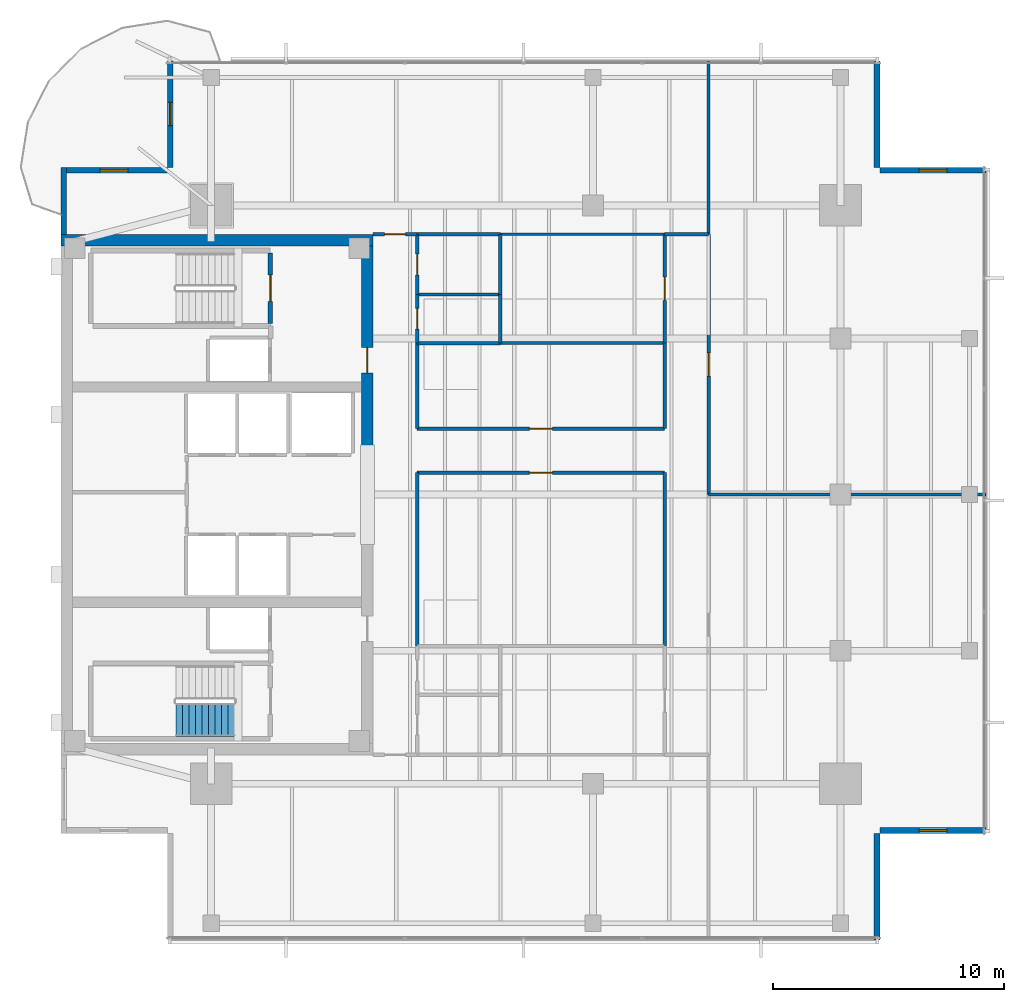
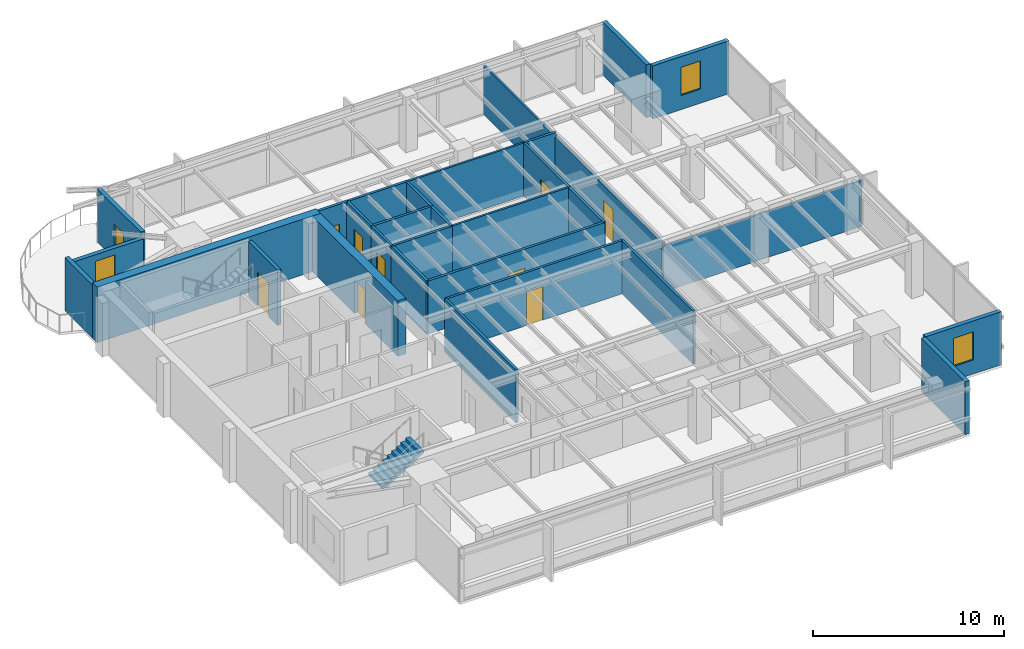
# One storey, part 9 of 14: 31 walls, 10 doors, 3 windows, 1 stair flight, 13 openings, 1 element without a shape of its own.
"""IFC4 building model written with IfcOpenShell, lengths in metres."""

from ifc_helpers import new_model, si_unit, direction, frame, frame_2d, origin, place, context, subcontext, project, spatial, polyline, rectangle, outline, extrude, material, layer, layer_set, type_object, element, fill, aggregate, save


model = new_model("IFC4")

# Units and contexts
model_context = context("Model", 3, precision=1e-05, world=origin(), true_north=direction((0.0, 1.0)))
body_context = subcontext(model_context, "Body", "Model", "MODEL_VIEW")
ifc_project = project(units=[si_unit("LENGTHUNIT", "METRE"), si_unit("AREAUNIT", "SQUARE_METRE"), si_unit("VOLUMEUNIT", "CUBIC_METRE"), si_unit("PLANEANGLEUNIT", "RADIAN"), si_unit("MASSUNIT", "GRAM", prefix="KILO")], contexts=[model_context])

# Site, building, storey
site_placement = place(None, origin())
site = spatial("IfcSite", under=ifc_project, at=site_placement, CompositionType="ELEMENT")
building_placement = place(site_placement, origin())
building = spatial("IfcBuilding", under=site, at=building_placement, Name="Kinhvarn Gate Tower", CompositionType="ELEMENT")
storey_placement = place(building_placement, frame((0.0, 0.0, 263.449951171875)))
storey = spatial("IfcBuildingStorey", under=building, at=storey_placement, Name="L70", CompositionType="ELEMENT", Elevation=263.449951171875)

# Wall
ifc_material_1 = material(Name="Concrete C50/60", Category="concrete")
ifc_layer_1 = layer(ifc_material_1, 0.5)
ifc_layer_set_1 = layer_set([ifc_layer_1], Name="Concrete C50/60")
wall_type_1 = type_object("IfcWallType", Name="WL-CORE-500", PredefinedType="SHEAR", material=ifc_layer_set_1)
wall_1_placement = place(storey_placement, frame((4.5, 36.25, 0.0), z_axis=(0.0, 0.0, 1.0), x_axis=(1.0, 0.0, 0.0)))
element("IfcWall", 1, at=wall_1_placement, inside=storey, type_object=wall_type_1, Name="Core North Shear Wall L70 500 mm", PredefinedType="SHEAR", context=body_context, shape_type="SweptSolid", body=[
    extrude(rectangle(XDim=13.5, YDim=0.5, at=frame_2d((6.75, 0.0))), origin(), (0.0, 0.0, 1.0), 3.550048828125),
])

# Wall, opening, door
wall_2_placement = place(storey_placement, frame((17.75, 27.050048828125, 0.0), z_axis=(0.0, 0.0, 1.0), x_axis=(0.0, 1.0, 0.0)))
wall_2 = element("IfcWall", 2, at=wall_2_placement, inside=storey, type_object=wall_type_1, Name="Core East-North Shear Pier L70 500 mm", PredefinedType="SHEAR", context=body_context, shape_type="SweptSolid", body=[
    extrude(rectangle(XDim=8.949951171875, YDim=0.5, at=frame_2d((4.47509765625, 0.0))), origin(), (0.0, 0.0, 1.0), 3.550048828125),
])
opening_1_placement = place(wall_2_placement, frame((3.449951171875, 0.0, 0.0)))
opening_1 = element("IfcOpeningElement", 3, at=opening_1_placement, cuts=wall_2, Name="Opening FD-02", PredefinedType="OPENING", context=body_context, shape_type="SweptSolid", body=[
    extrude(rectangle(XDim=1.10009765625, YDim=2.14990234375, at=frame_2d((0.550048828125, 1.074951171875))), frame((0.0, 0.260009765625, 0.0), z_axis=(0.0, -1.0, 0.0), x_axis=(1.0, 0.0, 0.0)), (0.0, 0.0, 1.0), 0.52001953125),
])
ifc_material_2 = material(Name="Anodised aluminium AW-6063", Category="aluminium")
door_type_1 = type_object("IfcDoorType", Name="DR-FD-1100", OperationType="NOTDEFINED", PredefinedType="DOOR", material=ifc_material_2)
door_1_placement = place(opening_1_placement, origin())
door_1 = element("IfcDoor", 4, at=door_1_placement, inside=storey, type_object=door_type_1, Name="Firefighting Lobby Core Door (L70)", OperationType="SINGLE_SWING_LEFT", OverallHeight=2.14990234375, OverallWidth=1.10009765625, PredefinedType="DOOR", context=body_context, shape_type="SweptSolid", body=[
    extrude(rectangle(XDim=1.10009765625, YDim=2.14990234375, at=frame_2d((0.550048828125, 1.074951171875))), frame((0.0, 0.02490234375, 0.0), z_axis=(0.0, -1.0, 0.0), x_axis=(1.0, 0.0, 0.0)), (0.0, 0.0, 1.0), 0.050048828125),
])
fill(opening_1, door_1)

# Walls
ifc_material_3 = material(Name="Fired architectural terracotta", Category="masonry")
ifc_layer_2 = layer(ifc_material_3, 0.25)
ifc_layer_set_2 = layer_set([ifc_layer_2], Name="Fired architectural terracotta")
wall_type_2 = type_object("IfcWallType", Name="WL-EXT-250", PredefinedType="SOLIDWALL", material=ifc_layer_set_2)
wall_3_placement = place(storey_placement, frame((4.625, 39.39990234375, 0.0), z_axis=(0.0, 0.0, 1.0), x_axis=(0.0, -1.0, 0.0)))
element("IfcWall", 5, at=wall_3_placement, inside=storey, type_object=wall_type_2, Name="Exterior Solidwall Wall EW-250 (L70 West-North)", PredefinedType="SOLIDWALL", context=body_context, shape_type="SweptSolid", body=[
    extrude(rectangle(XDim=2.89990234375, YDim=0.25, at=frame_2d((1.449951171875, 0.0))), origin(), (0.0, 0.0, 1.0), 3.39013671875),
])
wall_4_placement = place(storey_placement, frame((39.77490234375, 6.0, 0.0), z_axis=(0.0, 0.0, 1.0), x_axis=(0.0, 1.0, 0.0)))
element("IfcWall", 6, at=wall_4_placement, inside=storey, type_object=wall_type_2, Name="Exterior Solidwall Wall EW-250 (L70 SE-Notch-1)", PredefinedType="SOLIDWALL", context=body_context, shape_type="SweptSolid", body=[
    extrude(rectangle(XDim=4.60009765625, YDim=0.25, at=frame_2d((2.300048828125, 0.0))), origin(), (0.0, 0.0, 1.0), 3.39013671875),
])

# Wall, opening, window
wall_5_placement = place(storey_placement, frame((39.89990234375, 10.72509765625, 0.0), z_axis=(0.0, 0.0, 1.0), x_axis=(1.0, 0.0, 0.0)))
wall_5 = element("IfcWall", 7, at=wall_5_placement, inside=storey, type_object=wall_type_2, Name="Exterior Solidwall Wall EW-250 (L70 SE-Notch-2)", PredefinedType="SOLIDWALL", context=body_context, shape_type="SweptSolid", body=[
    extrude(rectangle(XDim=4.60009765625, YDim=0.25, at=frame_2d((2.300048828125, 0.0))), origin(), (0.0, 0.0, 1.0), 3.39013671875),
])
opening_2_placement = place(wall_5_placement, frame((1.699951171875, 0.0, 0.89990234375)))
opening_2 = element("IfcOpeningElement", 8, at=opening_2_placement, cuts=wall_5, Name="Opening WN-02", PredefinedType="OPENING", context=body_context, shape_type="SweptSolid", body=[
    extrude(rectangle(XDim=1.199951171875, YDim=1.800048828125, at=frame_2d((0.60009765625, 0.89990234375))), frame((0.0, 0.135009765625, 0.0), z_axis=(0.0, -1.0, 0.0), x_axis=(1.0, 0.0, 0.0)), (0.0, 0.0, 1.0), 0.27001953125),
])
ifc_material_4 = material(Name="Clear low-e double glazing", Category="glass")
window_type = type_object("IfcWindowType", Name="WIN-NTC-1200", PartitioningType="SINGLE_PANEL", PredefinedType="WINDOW", material=ifc_material_4)
window_1_placement = place(opening_2_placement, origin())
window_1 = element("IfcWindow", 9, at=window_1_placement, inside=storey, type_object=window_type, Name="Recessed Corner Notch Punched Window 1200x1800 mm (L70)", OverallHeight=1.800048828125, OverallWidth=1.199951171875, PartitioningType="SINGLE_PANEL", PredefinedType="WINDOW", context=body_context, shape_type="SweptSolid", body=[
    extrude(rectangle(XDim=1.199951171875, YDim=1.800048828125, at=frame_2d((0.60009765625, 0.89990234375))), frame((0.0, 0.030029296875, 0.0), z_axis=(0.0, -1.0, 0.0), x_axis=(1.0, 0.0, 0.0)), (0.0, 0.0, 1.0), 0.06005859375),
])
fill(opening_2, window_1)

wall_6_placement = place(storey_placement, frame((44.5, 39.27490234375, 0.0), z_axis=(0.0, 0.0, 1.0), x_axis=(-1.0, 0.0, 0.0)))
wall_6 = element("IfcWall", 10, at=wall_6_placement, inside=storey, type_object=wall_type_2, Name="Exterior Solidwall Wall EW-250 (L70 NE-Notch-1)", PredefinedType="SOLIDWALL", context=body_context, shape_type="SweptSolid", body=[
    extrude(rectangle(XDim=4.60009765625, YDim=0.25, at=frame_2d((2.300048828125, 0.0))), origin(), (0.0, 0.0, 1.0), 3.39013671875),
])
opening_3_placement = place(wall_6_placement, frame((1.699951171875, 0.0, 0.89990234375)))
opening_3 = element("IfcOpeningElement", 11, at=opening_3_placement, cuts=wall_6, Name="Opening WN-02", PredefinedType="OPENING", context=body_context, shape_type="SweptSolid", body=[
    extrude(rectangle(XDim=1.199951171875, YDim=1.800048828125, at=frame_2d((0.60009765625, 0.89990234375))), frame((0.0, 0.135009765625, 0.0), z_axis=(0.0, -1.0, 0.0), x_axis=(1.0, 0.0, 0.0)), (0.0, 0.0, 1.0), 0.27001953125),
])
window_2_placement = place(opening_3_placement, origin())
window_2 = element("IfcWindow", 12, at=window_2_placement, inside=storey, type_object=window_type, Name="Recessed Corner Notch Punched Window 1200x1800 mm (L70)", OverallHeight=1.800048828125, OverallWidth=1.199951171875, PartitioningType="SINGLE_PANEL", PredefinedType="WINDOW", context=body_context, shape_type="SweptSolid", body=[
    extrude(rectangle(XDim=1.199951171875, YDim=1.800048828125, at=frame_2d((0.60009765625, 0.89990234375))), frame((0.0, 0.030029296875, 0.0), z_axis=(0.0, -1.0, 0.0), x_axis=(1.0, 0.0, 0.0)), (0.0, 0.0, 1.0), 0.06005859375),
])
fill(opening_3, window_2)

# Wall
wall_7_placement = place(storey_placement, frame((39.77490234375, 39.39990234375, 0.0), z_axis=(0.0, 0.0, 1.0), x_axis=(0.0, 1.0, 0.0)))
element("IfcWall", 13, at=wall_7_placement, inside=storey, type_object=wall_type_2, Name="Exterior Solidwall Wall EW-250 (L70 NE-Notch-2)", PredefinedType="SOLIDWALL", context=body_context, shape_type="SweptSolid", body=[
    extrude(rectangle(XDim=4.60009765625, YDim=0.25, at=frame_2d((2.300048828125, 0.0))), origin(), (0.0, 0.0, 1.0), 3.39013671875),
])

# Wall, opening, door
wall_8_placement = place(storey_placement, frame((9.22509765625, 44.0, 0.0), z_axis=(0.0, 0.0, 1.0), x_axis=(0.0, -1.0, 0.0)))
wall_8 = element("IfcWall", 14, at=wall_8_placement, inside=storey, type_object=wall_type_2, Name="Exterior Solidwall Wall EW-250 (L70 NW-Notch-Door)", PredefinedType="SOLIDWALL", context=body_context, shape_type="SweptSolid", body=[
    extrude(rectangle(XDim=4.60009765625, YDim=0.25, at=frame_2d((2.300048828125, 0.0))), origin(), (0.0, 0.0, 1.0), 3.39013671875),
])
opening_4_placement = place(wall_8_placement, frame((1.800048828125, 0.0, 0.0)))
opening_4 = element("IfcOpeningElement", 15, at=opening_4_placement, cuts=wall_8, Name="Opening BD-01", PredefinedType="OPENING", context=body_context, shape_type="SweptSolid", body=[
    extrude(rectangle(XDim=1.0, YDim=2.199951171875, at=frame_2d((0.5, 1.10009765625))), frame((0.0, 0.135009765625, 0.0), z_axis=(0.0, -1.0, 0.0), x_axis=(1.0, 0.0, 0.0)), (0.0, 0.0, 1.0), 0.27001953125),
])
door_type_2 = type_object("IfcDoorType", Name="DR-BAL-1000", OperationType="NOTDEFINED", PredefinedType="DOOR", material=ifc_material_4)
door_2_placement = place(opening_4_placement, frame((1.0, 0.0, 0.0), z_axis=(0.0, 0.0, 1.0), x_axis=(-1.0, 0.0, 0.0)))
door_2 = element("IfcDoor", 16, at=door_2_placement, inside=storey, type_object=door_type_2, Name="S-Carve Balcony Door BD-01 (L70)", OperationType="SINGLE_SWING_RIGHT", OverallHeight=2.199951171875, OverallWidth=1.0, PredefinedType="DOOR", context=body_context, shape_type="SweptSolid", body=[
    extrude(rectangle(XDim=1.0, YDim=2.199951171875, at=frame_2d((0.5, 1.10009765625))), frame((0.0, 0.02490234375, 0.0), z_axis=(0.0, -1.0, 0.0), x_axis=(1.0, 0.0, 0.0)), (0.0, 0.0, 1.0), 0.050048828125),
])
fill(opening_4, door_2)

# Wall, opening, window
wall_9_placement = place(storey_placement, frame((9.10009765625, 39.27490234375, 0.0), z_axis=(0.0, 0.0, 1.0), x_axis=(-1.0, 0.0, 0.0)))
wall_9 = element("IfcWall", 17, at=wall_9_placement, inside=storey, type_object=wall_type_2, Name="Exterior Solidwall Wall EW-250 (L70 NW-Notch-Win)", PredefinedType="SOLIDWALL", context=body_context, shape_type="SweptSolid", body=[
    extrude(rectangle(XDim=4.60009765625, YDim=0.25, at=frame_2d((2.300048828125, 0.0))), origin(), (0.0, 0.0, 1.0), 3.1201171875),
])
opening_5_placement = place(wall_9_placement, frame((1.699951171875, 0.0, 0.89990234375)))
opening_5 = element("IfcOpeningElement", 18, at=opening_5_placement, cuts=wall_9, Name="Opening WN-02", PredefinedType="OPENING", context=body_context, shape_type="SweptSolid", body=[
    extrude(rectangle(XDim=1.199951171875, YDim=1.800048828125, at=frame_2d((0.60009765625, 0.89990234375))), frame((0.0, 0.135009765625, 0.0), z_axis=(0.0, -1.0, 0.0), x_axis=(1.0, 0.0, 0.0)), (0.0, 0.0, 1.0), 0.27001953125),
])
window_3_placement = place(opening_5_placement, origin())
window_3 = element("IfcWindow", 19, at=window_3_placement, inside=storey, type_object=window_type, Name="Recessed Corner Notch Punched Window 1200x1800 mm (L70)", OverallHeight=1.800048828125, OverallWidth=1.199951171875, PartitioningType="SINGLE_PANEL", PredefinedType="WINDOW", context=body_context, shape_type="SweptSolid", body=[
    extrude(rectangle(XDim=1.199951171875, YDim=1.800048828125, at=frame_2d((0.60009765625, 0.89990234375))), frame((0.0, 0.030029296875, 0.0), z_axis=(0.0, -1.0, 0.0), x_axis=(1.0, 0.0, 0.0)), (0.0, 0.0, 1.0), 0.06005859375),
])
fill(opening_5, window_3)

# Walls
ifc_material_5 = material(Name="Gypsum acoustic partition board")
ifc_layer_3 = layer(ifc_material_5, 0.14990234375)
ifc_layer_set_3 = layer_set([ifc_layer_3], Name="Gypsum acoustic partition board")
wall_type_3 = type_object("IfcWallType", Name="WL-PLM-150", PredefinedType="PLUMBINGWALL", material=ifc_layer_set_3)
wall_10_placement = place(storey_placement, frame((19.89990234375, 33.89990234375, 0.0), z_axis=(0.0, 0.0, 1.0), x_axis=(1.0, 0.0, 0.0)))
element("IfcWall", 20, at=wall_10_placement, inside=storey, type_object=wall_type_3, Name="Interior Partition PLW-150 (L70)", PredefinedType="PLUMBINGWALL", context=body_context, shape_type="SweptSolid", body=[
    extrude(rectangle(XDim=3.60009765625, YDim=0.14990234375, at=frame_2d((1.800048828125, 0.0))), origin(), (0.0, 0.0, 1.0), 3.39013671875),
])
wall_11_placement = place(storey_placement, frame((23.5, 33.89990234375, 0.0), z_axis=(0.0, 0.0, 1.0), x_axis=(0.0, 1.0, 0.0)))
element("IfcWall", 21, at=wall_11_placement, inside=storey, type_object=wall_type_3, Name="Interior Partition PLW-150 (L70)", PredefinedType="PLUMBINGWALL", context=body_context, shape_type="SweptSolid", body=[
    extrude(rectangle(XDim=2.60009765625, YDim=0.14990234375, at=frame_2d((1.300048828125, 0.0))), origin(), (0.0, 0.0, 1.0), 3.39013671875),
])
wall_12_placement = place(storey_placement, frame((19.89990234375, 36.5, 0.0), z_axis=(0.0, 0.0, 1.0), x_axis=(1.0, 0.0, 0.0)))
element("IfcWall", 22, at=wall_12_placement, inside=storey, type_object=wall_type_3, Name="Interior Partition PLW-150 (L70)", PredefinedType="PLUMBINGWALL", context=body_context, shape_type="SweptSolid", body=[
    extrude(rectangle(XDim=3.60009765625, YDim=0.14990234375, at=frame_2d((1.800048828125, 0.0))), origin(), (0.0, 0.0, 1.0), 3.39013671875),
])
wall_13_placement = place(storey_placement, frame((23.5, 31.800048828125, 0.0), z_axis=(0.0, 0.0, 1.0), x_axis=(0.0, 1.0, 0.0)))
element("IfcWall", 23, at=wall_13_placement, inside=storey, type_object=wall_type_3, Name="Interior Partition PLW-150 (L70)", PredefinedType="PLUMBINGWALL", context=body_context, shape_type="SweptSolid", body=[
    extrude(rectangle(XDim=2.099853515625, YDim=0.14990234375, at=frame_2d((1.0498046875, 0.0))), origin(), (0.0, 0.0, 1.0), 3.39013671875),
])
wall_14_placement = place(storey_placement, frame((19.89990234375, 31.800048828125, 0.0), z_axis=(0.0, 0.0, 1.0), x_axis=(1.0, 0.0, 0.0)))
element("IfcWall", 24, at=wall_14_placement, inside=storey, type_object=wall_type_3, Name="Interior Partition PLW-150 (L70)", PredefinedType="PLUMBINGWALL", context=body_context, shape_type="SweptSolid", body=[
    extrude(rectangle(XDim=3.60009765625, YDim=0.14990234375, at=frame_2d((1.800048828125, 0.0))), origin(), (0.0, 0.0, 1.0), 3.39013671875),
])

# Wall, opening, door
ifc_layer_4 = layer(ifc_material_5, 0.14990234375)
ifc_layer_set_4 = layer_set([ifc_layer_4], Name="Gypsum acoustic partition board")
wall_type_4 = type_object("IfcWallType", Name="WL-PLM-150F", PredefinedType="PLUMBINGWALL", material=ifc_layer_set_4)
wall_15_placement = place(storey_placement, frame((19.89990234375, 33.89990234375, 0.0), z_axis=(0.0, 0.0, 1.0), x_axis=(0.0, 1.0, 0.0)))
wall_15 = element("IfcWall", 25, at=wall_15_placement, inside=storey, type_object=wall_type_4, Name="Interior Partition PLW-150F (L70)", PredefinedType="PLUMBINGWALL", context=body_context, shape_type="SweptSolid", body=[
    extrude(rectangle(XDim=2.60009765625, YDim=0.14990234375, at=frame_2d((1.300048828125, 0.0))), origin(), (0.0, 0.0, 1.0), 3.39013671875),
])
opening_6_placement = place(wall_15_placement, frame((0.85009765625, 0.0, 0.0)))
opening_6 = element("IfcOpeningElement", 26, at=opening_6_placement, cuts=wall_15, Name="Opening FD-04", PredefinedType="OPENING", context=body_context, shape_type="SweptSolid", body=[
    extrude(rectangle(XDim=0.89990234375, YDim=2.10009765625, at=frame_2d((0.449951171875, 1.050048828125))), frame((0.0, 0.0849609375, 0.0), z_axis=(0.0, -1.0, 0.0), x_axis=(1.0, 0.0, 0.0)), (0.0, 0.0, 1.0), 0.169921875),
])
door_type_3 = type_object("IfcDoorType", Name="DR-FD-900", OperationType="NOTDEFINED", PredefinedType="DOOR", material=ifc_material_2)
door_3_placement = place(opening_6_placement, origin())
door_3 = element("IfcDoor", 27, at=door_3_placement, inside=storey, type_object=door_type_3, Name="Rated Riser & Service Closet Fire Door 900x2100 mm (L70)", OperationType="SINGLE_SWING_LEFT", OverallHeight=2.10009765625, OverallWidth=0.89990234375, PredefinedType="DOOR", context=body_context, shape_type="SweptSolid", body=[
    extrude(rectangle(XDim=0.89990234375, YDim=2.10009765625, at=frame_2d((0.449951171875, 1.050048828125))), frame((0.0, 0.02490234375, 0.0), z_axis=(0.0, -1.0, 0.0), x_axis=(1.0, 0.0, 0.0)), (0.0, 0.0, 1.0), 0.050048828125),
])
fill(opening_6, door_3)

wall_16_placement = place(storey_placement, frame((19.89990234375, 31.800048828125, 0.0), z_axis=(0.0, 0.0, 1.0), x_axis=(0.0, 1.0, 0.0)))
wall_16 = element("IfcWall", 28, at=wall_16_placement, inside=storey, type_object=wall_type_4, Name="Interior Partition PLW-150F (L70)", PredefinedType="PLUMBINGWALL", context=body_context, shape_type="SweptSolid", body=[
    extrude(rectangle(XDim=2.099853515625, YDim=0.14990234375, at=frame_2d((1.0498046875, 0.0))), origin(), (0.0, 0.0, 1.0), 3.39013671875),
])
opening_7_placement = place(wall_16_placement, frame((0.60009765625, 0.0, 0.0)))
opening_7 = element("IfcOpeningElement", 29, at=opening_7_placement, cuts=wall_16, Name="Opening FD-04", PredefinedType="OPENING", context=body_context, shape_type="SweptSolid", body=[
    extrude(rectangle(XDim=0.89990234375, YDim=2.10009765625, at=frame_2d((0.449951171875, 1.050048828125))), frame((0.0, 0.0849609375, 0.0), z_axis=(0.0, -1.0, 0.0), x_axis=(1.0, 0.0, 0.0)), (0.0, 0.0, 1.0), 0.169921875),
])
door_4_placement = place(opening_7_placement, origin())
door_4 = element("IfcDoor", 30, at=door_4_placement, inside=storey, type_object=door_type_3, Name="Rated Riser & Service Closet Fire Door 900x2100 mm (L70)", OperationType="SINGLE_SWING_LEFT", OverallHeight=2.10009765625, OverallWidth=0.89990234375, PredefinedType="DOOR", context=body_context, shape_type="SweptSolid", body=[
    extrude(rectangle(XDim=0.89990234375, YDim=2.10009765625, at=frame_2d((0.449951171875, 1.050048828125))), frame((0.0, 0.02490234375, 0.0), z_axis=(0.0, -1.0, 0.0), x_axis=(1.0, 0.0, 0.0)), (0.0, 0.0, 1.0), 0.050048828125),
])
fill(opening_7, door_4)

# Walls
ifc_layer_5 = layer(ifc_material_5, 0.1201171875)
ifc_layer_set_5 = layer_set([ifc_layer_5], Name="Gypsum acoustic partition board")
wall_type_5 = type_object("IfcWallType", Name="WL-PRT-120", PredefinedType="PARTITIONING", material=ifc_layer_set_5)
for number, where, z_axis, x_axis, name in (
    (31, (23.5, 31.800048828125, 0.0), (0.0, 0.0, 1.0), (1.0, 0.0, 0.0), "Interior Partition PW-120 (L70)"),
    (32, (23.5, 36.5, 0.0), (0.0, 0.0, 1.0), (1.0, 0.0, 0.0), "Interior Partition PW-120 (L70)"),
):
    element("IfcWall", number, at=place(storey_placement, frame(where, z_axis=z_axis, x_axis=x_axis)), inside=storey, type_object=wall_type_5, Name=name, PredefinedType="PARTITIONING", context=body_context, shape_type="SweptSolid", body=[
        extrude(rectangle(XDim=7.10009765625, YDim=0.1201171875, at=frame_2d((3.550048828125, 0.0))), origin(), (0.0, 0.0, 1.0), 3.39013671875),
    ])
wall_17_placement = place(storey_placement, frame((32.5, 36.5, 0.0), z_axis=(0.0, 0.0, 1.0), x_axis=(0.0, 1.0, 0.0)))
element("IfcWall", 33, at=wall_17_placement, inside=storey, type_object=wall_type_5, Name="Interior Partition PW-120 (L70)", PredefinedType="PARTITIONING", context=body_context, shape_type="SweptSolid", body=[
    extrude(rectangle(XDim=7.489990234375, YDim=0.1201171875, at=frame_2d((3.7451171875, 0.0))), origin(), (0.0, 0.0, 1.0), 3.1201171875),
])
wall_18_placement = place(storey_placement, frame((32.5, 25.25, 0.0), z_axis=(0.0, 0.0, 1.0), x_axis=(1.0, 0.0, 0.0)))
element("IfcWall", 34, at=wall_18_placement, inside=storey, type_object=wall_type_5, Name="Interior Partition PW-120 (L70)", PredefinedType="PARTITIONING", context=body_context, shape_type="SweptSolid", body=[
    extrude(rectangle(XDim=11.989990234375, YDim=0.1201171875, at=frame_2d((5.9951171875, 0.0))), origin(), (0.0, 0.0, 1.0), 2.93994140625),
])
ifc_layer_6 = layer(ifc_material_5, 0.14990234375)
ifc_layer_set_6 = layer_set([ifc_layer_6], Name="Gypsum acoustic partition board")
wall_type_6 = type_object("IfcWallType", Name="WL-PRT-150F", PredefinedType="PARTITIONING", material=ifc_layer_set_6)
wall_19_placement = place(storey_placement, frame((19.89990234375, 18.699951171875, 0.0), z_axis=(0.0, 0.0, 1.0), x_axis=(0.0, 1.0, 0.0)))
element("IfcWall", 35, at=wall_19_placement, inside=storey, type_object=wall_type_6, Name="Interior Partition PW-150F (L70)", PredefinedType="PARTITIONING", context=body_context, shape_type="SweptSolid", body=[
    extrude(rectangle(XDim=7.5, YDim=0.14990234375, at=frame_2d((3.75, 0.0))), origin(), (0.0, 0.0, 1.0), 3.39013671875),
])
wall_20_placement = place(storey_placement, frame((19.89990234375, 28.10009765625, 0.0), z_axis=(0.0, 0.0, 1.0), x_axis=(0.0, 1.0, 0.0)))
element("IfcWall", 36, at=wall_20_placement, inside=storey, type_object=wall_type_6, Name="Interior Partition PW-150F (L70)", PredefinedType="PARTITIONING", context=body_context, shape_type="SweptSolid", body=[
    extrude(rectangle(XDim=3.699951171875, YDim=0.14990234375, at=frame_2d((1.85009765625, 0.0))), origin(), (0.0, 0.0, 1.0), 3.39013671875),
])

# Wall, opening, door
wall_21_placement = place(storey_placement, frame((18.0, 36.5, 0.0), z_axis=(0.0, 0.0, 1.0), x_axis=(1.0, 0.0, 0.0)))
wall_21 = element("IfcWall", 37, at=wall_21_placement, inside=storey, type_object=wall_type_6, Name="Interior Partition PW-150F (L70)", PredefinedType="PARTITIONING", context=body_context, shape_type="SweptSolid", body=[
    extrude(rectangle(XDim=1.89990234375, YDim=0.14990234375, at=frame_2d((0.949951171875, 0.0))), origin(), (0.0, 0.0, 1.0), 3.39013671875),
])
opening_8_placement = place(wall_21_placement, frame((0.5, 0.0, 0.0)))
opening_8 = element("IfcOpeningElement", 38, at=opening_8_placement, cuts=wall_21, Name="Opening ID-03", PredefinedType="OPENING", context=body_context, shape_type="SweptSolid", body=[
    extrude(rectangle(XDim=0.89990234375, YDim=2.10009765625, at=frame_2d((0.449951171875, 1.050048828125))), frame((0.0, 0.0849609375, 0.0), z_axis=(0.0, -1.0, 0.0), x_axis=(1.0, 0.0, 0.0)), (0.0, 0.0, 1.0), 0.169921875),
])
door_type_4 = type_object("IfcDoorType", Name="DR-INT-900", OperationType="NOTDEFINED", PredefinedType="DOOR", material=ifc_material_2)
door_5_placement = place(opening_8_placement, origin())
door_5 = element("IfcDoor", 39, at=door_5_placement, inside=storey, type_object=door_type_4, Name="Cellular Office & Restroom Door 900x2100 mm (L70)", OperationType="SINGLE_SWING_LEFT", OverallHeight=2.10009765625, OverallWidth=0.89990234375, PredefinedType="DOOR", context=body_context, shape_type="SweptSolid", body=[
    extrude(rectangle(XDim=0.89990234375, YDim=2.10009765625, at=frame_2d((0.449951171875, 1.050048828125))), frame((0.0, 0.02490234375, 0.0), z_axis=(0.0, -1.0, 0.0), x_axis=(1.0, 0.0, 0.0)), (0.0, 0.0, 1.0), 0.050048828125),
])
fill(opening_8, door_5)

wall_22_placement = place(storey_placement, frame((19.89990234375, 26.199951171875, 0.0), z_axis=(0.0, 0.0, 1.0), x_axis=(1.0, 0.0, 0.0)))
wall_22 = element("IfcWall", 40, at=wall_22_placement, inside=storey, type_object=wall_type_6, Name="Interior Partition PW-150F (L70)", PredefinedType="PARTITIONING", context=body_context, shape_type="SweptSolid", body=[
    extrude(rectangle(XDim=10.7001953125, YDim=0.14990234375, at=frame_2d((5.35009765625, 0.0))), origin(), (0.0, 0.0, 1.0), 3.39013671875),
])
opening_9_placement = place(wall_22_placement, frame((4.85009765625, 0.0, 0.0)))
opening_9 = element("IfcOpeningElement", 41, at=opening_9_placement, cuts=wall_22, Name="Opening ID-02", PredefinedType="OPENING", context=body_context, shape_type="SweptSolid", body=[
    extrude(rectangle(XDim=1.0, YDim=2.14990234375, at=frame_2d((0.5, 1.074951171875))), frame((0.0, 0.0849609375, 0.0), z_axis=(0.0, -1.0, 0.0), x_axis=(1.0, 0.0, 0.0)), (0.0, 0.0, 1.0), 0.169921875),
])
door_type_5 = type_object("IfcDoorType", Name="DR-INT-1000", OperationType="NOTDEFINED", PredefinedType="DOOR", material=ifc_material_2)
door_6_placement = place(opening_9_placement, origin())
door_6 = element("IfcDoor", 42, at=door_6_placement, inside=storey, type_object=door_type_5, Name="Standard Office & Meeting Room Door 1000x2150 mm (L70)", OperationType="SINGLE_SWING_RIGHT", OverallHeight=2.14990234375, OverallWidth=1.0, PredefinedType="DOOR", context=body_context, shape_type="SweptSolid", body=[
    extrude(rectangle(XDim=1.0, YDim=2.14990234375, at=frame_2d((0.5, 1.074951171875))), frame((0.0, 0.02490234375, 0.0), z_axis=(0.0, -1.0, 0.0), x_axis=(1.0, 0.0, 0.0)), (0.0, 0.0, 1.0), 0.050048828125),
])
fill(opening_9, door_6)

wall_23_placement = place(storey_placement, frame((19.89990234375, 28.10009765625, 0.0), z_axis=(0.0, 0.0, 1.0), x_axis=(1.0, 0.0, 0.0)))
wall_23 = element("IfcWall", 43, at=wall_23_placement, inside=storey, type_object=wall_type_6, Name="Interior Partition PW-150F (L70)", PredefinedType="PARTITIONING", context=body_context, shape_type="SweptSolid", body=[
    extrude(rectangle(XDim=10.7001953125, YDim=0.14990234375, at=frame_2d((5.35009765625, 0.0))), origin(), (0.0, 0.0, 1.0), 3.39013671875),
])
opening_10_placement = place(wall_23_placement, frame((4.85009765625, 0.0, 0.0)))
opening_10 = element("IfcOpeningElement", 44, at=opening_10_placement, cuts=wall_23, Name="Opening ID-02", PredefinedType="OPENING", context=body_context, shape_type="SweptSolid", body=[
    extrude(rectangle(XDim=1.0, YDim=2.14990234375, at=frame_2d((0.5, 1.074951171875))), frame((0.0, 0.0849609375, 0.0), z_axis=(0.0, -1.0, 0.0), x_axis=(1.0, 0.0, 0.0)), (0.0, 0.0, 1.0), 0.169921875),
])
door_7_placement = place(opening_10_placement, origin())
door_7 = element("IfcDoor", 45, at=door_7_placement, inside=storey, type_object=door_type_5, Name="Standard Office & Meeting Room Door 1000x2150 mm (L70)", OperationType="SINGLE_SWING_LEFT", OverallHeight=2.14990234375, OverallWidth=1.0, PredefinedType="DOOR", context=body_context, shape_type="SweptSolid", body=[
    extrude(rectangle(XDim=1.0, YDim=2.14990234375, at=frame_2d((0.5, 1.074951171875))), frame((0.0, 0.02490234375, 0.0), z_axis=(0.0, -1.0, 0.0), x_axis=(1.0, 0.0, 0.0)), (0.0, 0.0, 1.0), 0.050048828125),
])
fill(opening_10, door_7)

wall_24_placement = place(storey_placement, frame((30.60009765625, 31.800048828125, 0.0), z_axis=(0.0, 0.0, 1.0), x_axis=(0.0, 1.0, 0.0)))
wall_24 = element("IfcWall", 46, at=wall_24_placement, inside=storey, type_object=wall_type_6, Name="Interior Partition PW-150F (L70)", PredefinedType="PARTITIONING", context=body_context, shape_type="SweptSolid", body=[
    extrude(rectangle(XDim=4.699951171875, YDim=0.14990234375, at=frame_2d((2.35009765625, 0.0))), origin(), (0.0, 0.0, 1.0), 3.39013671875),
])
opening_11_placement = place(wall_24_placement, frame((1.85009765625, 0.0, 0.0)))
opening_11 = element("IfcOpeningElement", 47, at=opening_11_placement, cuts=wall_24, Name="Opening ID-02", PredefinedType="OPENING", context=body_context, shape_type="SweptSolid", body=[
    extrude(rectangle(XDim=1.0, YDim=2.14990234375, at=frame_2d((0.5, 1.074951171875))), frame((0.0, 0.0849609375, 0.0), z_axis=(0.0, -1.0, 0.0), x_axis=(1.0, 0.0, 0.0)), (0.0, 0.0, 1.0), 0.169921875),
])
door_8_placement = place(opening_11_placement, origin())
door_8 = element("IfcDoor", 48, at=door_8_placement, inside=storey, type_object=door_type_5, Name="Standard Office & Meeting Room Door 1000x2150 mm (L70)", OperationType="SINGLE_SWING_LEFT", OverallHeight=2.14990234375, OverallWidth=1.0, PredefinedType="DOOR", context=body_context, shape_type="SweptSolid", body=[
    extrude(rectangle(XDim=1.0, YDim=2.14990234375, at=frame_2d((0.5, 1.074951171875))), frame((0.0, 0.02490234375, 0.0), z_axis=(0.0, -1.0, 0.0), x_axis=(1.0, 0.0, 0.0)), (0.0, 0.0, 1.0), 0.050048828125),
])
fill(opening_11, door_8)

# Walls
wall_25_placement = place(storey_placement, frame((30.60009765625, 18.699951171875, 0.0), z_axis=(0.0, 0.0, 1.0), x_axis=(0.0, 1.0, 0.0)))
element("IfcWall", 49, at=wall_25_placement, inside=storey, type_object=wall_type_6, Name="Interior Partition PW-150F (L70)", PredefinedType="PARTITIONING", context=body_context, shape_type="SweptSolid", body=[
    extrude(rectangle(XDim=7.5, YDim=0.14990234375, at=frame_2d((3.75, 0.0))), origin(), (0.0, 0.0, 1.0), 3.39013671875),
])
wall_26_placement = place(storey_placement, frame((30.60009765625, 28.10009765625, 0.0), z_axis=(0.0, 0.0, 1.0), x_axis=(0.0, 1.0, 0.0)))
element("IfcWall", 50, at=wall_26_placement, inside=storey, type_object=wall_type_6, Name="Interior Partition PW-150F (L70)", PredefinedType="PARTITIONING", context=body_context, shape_type="SweptSolid", body=[
    extrude(rectangle(XDim=3.699951171875, YDim=0.14990234375, at=frame_2d((1.85009765625, 0.0))), origin(), (0.0, 0.0, 1.0), 3.39013671875),
])
wall_27_placement = place(storey_placement, frame((30.60009765625, 36.5, 0.0), z_axis=(0.0, 0.0, 1.0), x_axis=(1.0, 0.0, 0.0)))
element("IfcWall", 51, at=wall_27_placement, inside=storey, type_object=wall_type_6, Name="Interior Partition PW-150F (L70)", PredefinedType="PARTITIONING", context=body_context, shape_type="SweptSolid", body=[
    extrude(rectangle(XDim=1.89990234375, YDim=0.14990234375, at=frame_2d((0.949951171875, 0.0))), origin(), (0.0, 0.0, 1.0), 3.39013671875),
])

# Wall, opening, door
wall_28_placement = place(storey_placement, frame((32.5, 25.25, 0.0), z_axis=(0.0, 0.0, 1.0), x_axis=(0.0, 1.0, 0.0)))
wall_28 = element("IfcWall", 52, at=wall_28_placement, inside=storey, type_object=wall_type_6, Name="Interior Partition PW-150F (L70)", PredefinedType="PARTITIONING", context=body_context, shape_type="SweptSolid", body=[
    extrude(rectangle(XDim=11.25, YDim=0.14990234375, at=frame_2d((5.625, 0.0))), origin(), (0.0, 0.0, 1.0), 3.1201171875),
])
opening_12_placement = place(wall_28_placement, frame((5.125, 0.0, 0.0)))
opening_12 = element("IfcOpeningElement", 53, at=opening_12_placement, cuts=wall_28, Name="Opening ID-02", PredefinedType="OPENING", context=body_context, shape_type="SweptSolid", body=[
    extrude(rectangle(XDim=1.0, YDim=2.14990234375, at=frame_2d((0.5, 1.074951171875))), frame((0.0, 0.0849609375, 0.0), z_axis=(0.0, -1.0, 0.0), x_axis=(1.0, 0.0, 0.0)), (0.0, 0.0, 1.0), 0.169921875),
])
door_9_placement = place(opening_12_placement, origin())
door_9 = element("IfcDoor", 54, at=door_9_placement, inside=storey, type_object=door_type_5, Name="Standard Office & Meeting Room Door 1000x2150 mm (L70)", OperationType="SINGLE_SWING_LEFT", OverallHeight=2.14990234375, OverallWidth=1.0, PredefinedType="DOOR", context=body_context, shape_type="SweptSolid", body=[
    extrude(rectangle(XDim=1.0, YDim=2.14990234375, at=frame_2d((0.5, 1.074951171875))), frame((0.0, 0.02490234375, 0.0), z_axis=(0.0, -1.0, 0.0), x_axis=(1.0, 0.0, 0.0)), (0.0, 0.0, 1.0), 0.050048828125),
])
fill(opening_12, door_9)

ifc_material_6 = material(Name="Concrete C40/50", Category="concrete")
ifc_layer_7 = layer(ifc_material_6, 0.199951171875)
ifc_layer_set_7 = layer_set([ifc_layer_7], Name="Concrete C40/50")
wall_type_7 = type_object("IfcWallType", Name="WL-SHF-200", PredefinedType="SOLIDWALL", material=ifc_layer_set_7)
wall_29_placement = place(storey_placement, frame((13.56005859375, 32.64990234375, 0.0), z_axis=(0.0, 0.0, 1.0), x_axis=(0.0, 1.0, 0.0)))
wall_29 = element("IfcWall", 55, at=wall_29_placement, inside=storey, type_object=wall_type_7, Name="Stair ST2 East Entry Wall (L70)", PredefinedType="SOLIDWALL", context=body_context, shape_type="SweptSolid", body=[
    extrude(rectangle(XDim=3.050048828125, YDim=0.199951171875, at=frame_2d((1.52490234375, 0.0))), origin(), (0.0, 0.0, 1.0), 3.550048828125),
])
opening_13_placement = place(wall_29_placement, frame((0.949951171875, 0.0, 0.0)))
opening_13 = element("IfcOpeningElement", 56, at=opening_13_placement, cuts=wall_29, Name="Opening FD-01", PredefinedType="OPENING", context=body_context, shape_type="SweptSolid", body=[
    extrude(rectangle(XDim=1.14990234375, YDim=2.14990234375, at=frame_2d((0.574951171875, 1.074951171875))), frame((0.0, 0.10986328125, 0.0), z_axis=(0.0, -1.0, 0.0), x_axis=(1.0, 0.0, 0.0)), (0.0, 0.0, 1.0), 0.219970703125),
])
door_type_6 = type_object("IfcDoorType", Name="DR-ST-1150", OperationType="NOTDEFINED", PredefinedType="DOOR", material=ifc_material_2)
door_10_placement = place(opening_13_placement, origin())
door_10 = element("IfcDoor", 57, at=door_10_placement, inside=storey, type_object=door_type_6, Name="Exit Stair ST2 Fire Door (L70)", OperationType="SINGLE_SWING_LEFT", OverallHeight=2.14990234375, OverallWidth=1.14990234375, PredefinedType="DOOR", context=body_context, shape_type="SweptSolid", body=[
    extrude(rectangle(XDim=1.14990234375, YDim=2.14990234375, at=frame_2d((0.574951171875, 1.074951171875))), frame((0.0, 0.02490234375, 0.0), z_axis=(0.0, -1.0, 0.0), x_axis=(1.0, 0.0, 0.0)), (0.0, 0.0, 1.0), 0.050048828125),
])
fill(opening_13, door_10)

# Stair, stair flight
stair_type = type_object("IfcStairType", Name="STR-DLG-178", PredefinedType="HALF_TURN_STAIR", material=ifc_material_6)
stair_placement = place(storey_placement, origin())
stair = element("IfcStair", 58, at=stair_placement, inside=storey, type_object=stair_type, Name="L70 Core Smokeproof Exit Stair ST1", PredefinedType="HALF_TURN_STAIR")
stair_flight_type = type_object("IfcStairFlightType", Name="STF-DLG-178", PredefinedType="STRAIGHT", material=ifc_material_6)
stair_flight_placement = place(storey_placement, frame((9.47998046875, 15.52490234375, 1.775146484375), z_axis=(0.0, 0.0, 1.0), x_axis=(1.0, 0.0, 0.0)))
stair_flight = element("IfcStairFlight", 59, at=stair_flight_placement, type_object=stair_flight_type, Name="ST1 flight 2", NumberOfRisers=10, NumberOfTreads=9, PredefinedType="STRAIGHT", RiserHeight=0.1775, TreadLength=0.28, context=body_context, shape_type="SweptSolid", body=[
    extrude(outline(polyline([(0.0, 0.0), (0.0, 0.177490234375), (0.280029296875, 0.177490234375), (0.280029296875, 0.35498046875), (0.56005859375, 0.35498046875), (0.56005859375, 0.532470703125), (0.840087890625, 0.532470703125), (0.840087890625, 0.7099609375), (1.1201171875, 0.7099609375), (1.1201171875, 0.887451171875), (1.39990234375, 0.887451171875), (1.39990234375, 1.06494140625), (1.679931640625, 1.06494140625), (1.679931640625, 1.242431640625), (1.9599609375, 1.242431640625), (1.9599609375, 1.419921875), (2.239990234375, 1.419921875), (2.239990234375, 1.597412109375), (2.52001953125, 1.597412109375), (2.52001953125, 1.77490234375), (2.52001953125, 1.419921875), (0.280029296875, 0.0), (0.0, 0.0)])), frame((0.0, 0.72509765625, 0.0), z_axis=(0.0, -1.0, 0.0), x_axis=(1.0, 0.0, 0.0)), (0.0, 0.0, 1.0), 1.449951171875),
])
aggregate(stair, [stair_flight])

save(model, "model.ifc")
